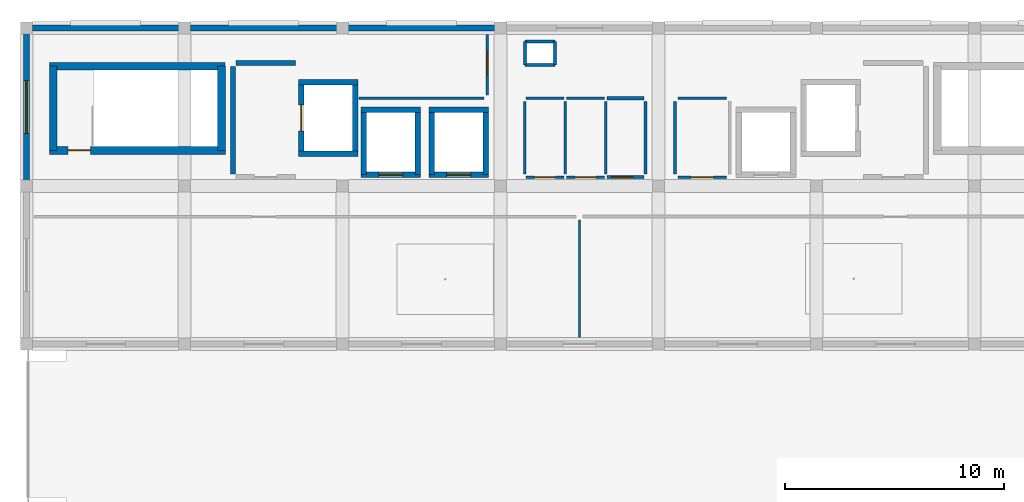
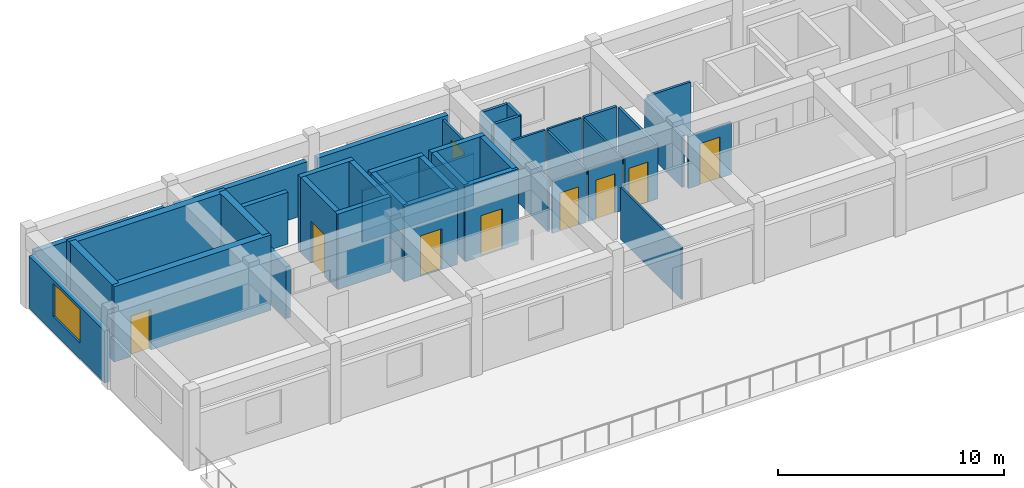
# One storey, part 2 of 6: 42 walls, 9 doors, 1 window, 10 openings.
"""IFC4 building model written with IfcOpenShell, lengths in metres."""

import ifcopenshell
import ifcopenshell.guid

model = None  # the IFC model being written
_history = None  # IfcOwnerHistory: only IFC2X3 demands one
_inside = {}  # id of a spatial element -> (the spatial element, [elements in it])
_under = {}  # id of a project, library or spatial element -> (it, [spatial elements below it])
_declared = {}  # id of a project -> (the project, [libraries it declares])
_typed = {}  # id of a type object -> (the type object, [elements of that type])
_made_of = {}  # id of a material, layer set ... -> (it, [elements and type objects made of it])


def new_model(schema):
    """Start an empty IFC model of exactly this schema.

    Asked for "IFC4X3", IfcOpenShell would pick the latest addendum, in which some entities
    have other attributes; the version numbers below select the first issue.
    IFC2X3 requires an IfcOwnerHistory on every rooted entity: one is made here for all.
    """
    global model, _history
    if schema == "IFC4X3":
        model = ifcopenshell.file(schema_version=(4, 3, 0, 0))
    else:
        model = ifcopenshell.file(schema=schema)
    _inside.clear()
    _under.clear()
    _declared.clear()
    _typed.clear()
    _made_of.clear()
    _history = None
    if model.schema == "IFC2X3":
        org = make("IfcOrganization", Name="unknown")
        user = make(
            "IfcPersonAndOrganization",
            ThePerson=make("IfcPerson", FamilyName="unknown"),
            TheOrganization=org,
        )
        app = make(
            "IfcApplication",
            ApplicationDeveloper=org,
            Version="unknown",
            ApplicationFullName="unknown",
            ApplicationIdentifier="unknown",
        )
        _history = make(
            "IfcOwnerHistory",
            OwningUser=user,
            OwningApplication=app,
            ChangeAction="ADDED",
            CreationDate=0,
        )
    return model


def make(cls, **values):
    """One entity of the class cls with the attributes given. An attribute that is None is left unset."""
    return model.create_entity(
        cls, **{name: value for name, value in values.items() if value is not None}
    )


def rooted(cls, **values):
    """An entity with a GlobalId (a new one), such as an element, a storey or a relation."""
    return make(cls, GlobalId=ifcopenshell.guid.new(), OwnerHistory=_history, **values)


def si_unit(unit_type, name, prefix=None):
    """IfcSIUnit, for example si_unit("LENGTHUNIT", "METRE", prefix="MILLI")."""
    return make("IfcSIUnit", UnitType=unit_type, Prefix=prefix, Name=name)


def assignment(units):
    """IfcUnitAssignment: the units of a project."""
    return None if units is None else make("IfcUnitAssignment", Units=units)


def point(xyz):
    """IfcCartesianPoint."""
    return None if xyz is None else make("IfcCartesianPoint", Coordinates=xyz)


def direction(xyz):
    """IfcDirection."""
    return None if xyz is None else make("IfcDirection", DirectionRatios=xyz)


def frame(location, z_axis=None, x_axis=None):
    """IfcAxis2Placement3D, a coordinate frame: its origin and axes. An axis left out is left unset."""
    return make(
        "IfcAxis2Placement3D",
        Location=point(location),
        Axis=direction(z_axis),
        RefDirection=direction(x_axis),
    )


def frame_2d(location, x_axis=None):
    """IfcAxis2Placement2D, a coordinate frame in the plane: its origin and x axis."""
    return make(
        "IfcAxis2Placement2D", Location=point(location), RefDirection=direction(x_axis)
    )


def origin():
    """The frame at (0, 0, 0) with its axes left unset."""
    return frame((0.0, 0.0, 0.0))


def place(relative_to, where):
    """IfcLocalPlacement: puts the frame where relative to a parent placement (None: the world)."""
    return make(
        "IfcLocalPlacement", PlacementRelTo=relative_to, RelativePlacement=where
    )


def context(
    kind, dimensions, precision=None, world=None, true_north=None, identifier=None
):
    """IfcGeometricRepresentationContext, for example the 3D "Model" context."""
    return make(
        "IfcGeometricRepresentationContext",
        ContextIdentifier=identifier,
        ContextType=kind,
        CoordinateSpaceDimension=dimensions,
        Precision=precision,
        WorldCoordinateSystem=world,
        TrueNorth=true_north,
    )


def subcontext(parent, identifier, kind, view, scale=None):
    """IfcGeometricRepresentationSubContext, for example "Body" below "Model"."""
    return make(
        "IfcGeometricRepresentationSubContext",
        ContextIdentifier=identifier,
        ContextType=kind,
        ParentContext=parent,
        TargetScale=scale,
        TargetView=view,
    )


def project(units=None, contexts=None):
    """IfcProject with its units and contexts."""
    return rooted(
        "IfcProject",
        Name="project",
        RepresentationContexts=contexts,
        UnitsInContext=assignment(units),
    )


def spatial(cls, under=None, at=None, **own):
    """A site, building, storey or space (cls), placed at a placement, below another one or the project."""
    s = rooted(cls, ObjectPlacement=at, **own)
    if under is not None:
        _under.setdefault(under.id(), (under, []))[1].append(s)
    return s


def profile(cls, at=None, kind="AREA", **sizes):
    """A parametric profile (cls). Its sizes go by their IFC names, for example OverallWidth=200.0."""
    return make(cls, ProfileType=kind, Position=at, **sizes)


def rectangle(**sizes):
    """IfcRectangleProfileDef."""
    return profile("IfcRectangleProfileDef", **sizes)


def extrude(swept, where, along, depth):
    """IfcExtrudedAreaSolid: the profile swept, set in the frame where, extruded along a direction by depth."""
    return make(
        "IfcExtrudedAreaSolid",
        SweptArea=swept,
        Position=where,
        ExtrudedDirection=direction(along),
        Depth=depth,
    )


def shape(context_of_items, identifier, shape_type, items):
    """IfcShapeRepresentation: the items that make up one representation, for example the "Body"."""
    return make(
        "IfcShapeRepresentation",
        ContextOfItems=context_of_items,
        RepresentationIdentifier=identifier,
        RepresentationType=shape_type,
        Items=items,
    )


def material(Name=None, Category=None):
    """IfcMaterial."""
    return make("IfcMaterial", Name=Name, Category=Category)


def layer(
    of_material, thickness, ventilated=None, Name=None, Category=None, Priority=None
):
    """IfcMaterialLayer: one layer of a wall or slab, of a material (None: an air gap)."""
    return make(
        "IfcMaterialLayer",
        Material=of_material,
        LayerThickness=thickness,
        IsVentilated=ventilated,
        Name=Name,
        Category=Category,
        Priority=Priority,
    )


def layer_set(layers, Name=None):
    """IfcMaterialLayerSet."""
    return make("IfcMaterialLayerSet", MaterialLayers=layers, LayerSetName=Name)


def made_of(thing, what):
    """Note that an element or type object is made of a material, layer set ...; save() writes the relation."""
    if what is not None:
        _made_of.setdefault(what.id(), (what, []))[1].append(thing)
    return thing


def type_object(cls, material=None, **own):
    """A type object (cls), such as IfcWallType, which elements share."""
    return made_of(rooted(cls, **own), material)


def element(
    cls,
    number,
    at=None,
    inside=None,
    cuts=None,
    type_object=None,
    material=None,
    context=None,
    identifier="Body",
    shape_type=None,
    held_by="IfcProductDefinitionShape",
    body=None,
    shapes=None,
    **own,
):
    """One element of the class cls, such as IfcWall. Its Tag is "e" and its number.

    at: its placement. inside: the storey or other place that contains it. cuts: it is an
    opening in that element (IfcRelVoidsElement). A single representation is given by context,
    identifier, shape_type and body (its items); several are given by shapes. held_by: the class
    of the entity that holds the representations. save() writes the other relations.
    """
    e = rooted(cls, Tag="e%d" % number, ObjectPlacement=at, **own)
    if body is not None:
        shapes = [shape(context, identifier, shape_type, body)]
    if shapes is not None:
        e.Representation = make(held_by, Representations=shapes)
    if inside is not None:
        _inside.setdefault(inside.id(), (inside, []))[1].append(e)
    if cuts is not None:
        rooted(
            "IfcRelVoidsElement", RelatingBuildingElement=cuts, RelatedOpeningElement=e
        )
    if type_object is not None:
        _typed.setdefault(type_object.id(), (type_object, []))[1].append(e)
    return made_of(e, material)


def fill(opening, filler):
    """IfcRelFillsElement: the door or window that sits in an opening."""
    return rooted(
        "IfcRelFillsElement",
        RelatingOpeningElement=opening,
        RelatedBuildingElement=filler,
    )


def aggregate(whole, parts):
    """IfcRelAggregates: a whole, such as a stair, and the parts it consists of."""
    return rooted("IfcRelAggregates", RelatingObject=whole, RelatedObjects=parts)


def save(model, path):
    """Write the relations noted so far, then the file.

    IfcRelAggregates (storeys below a building ...), IfcRelContainedInSpatialStructure (elements
    in a storey), IfcRelDefinesByType, IfcRelAssociatesMaterial and IfcRelDeclares: one each for
    every whole, place, type object, material and project.
    """
    for whole, parts in _under.values():
        aggregate(whole, parts)
    for where, things in _inside.values():
        rooted(
            "IfcRelContainedInSpatialStructure",
            RelatedElements=things,
            RelatingStructure=where,
        )
    for kind, things in _typed.values():
        rooted("IfcRelDefinesByType", RelatedObjects=things, RelatingType=kind)
    for what, things in _made_of.values():
        rooted("IfcRelAssociatesMaterial", RelatedObjects=things, RelatingMaterial=what)
    for by, libraries in _declared.values():
        rooted("IfcRelDeclares", RelatingContext=by, RelatedDefinitions=libraries)
    model.write(path)


model = new_model("IFC4")

# Units and contexts
model_context = context("Model", 3, precision=1e-05, world=origin(), true_north=direction((0.0, 1.0)))
body_context = subcontext(model_context, "Body", "Model", "MODEL_VIEW")
ifc_project = project(units=[si_unit("LENGTHUNIT", "METRE"), si_unit("AREAUNIT", "SQUARE_METRE"), si_unit("VOLUMEUNIT", "CUBIC_METRE"), si_unit("PLANEANGLEUNIT", "RADIAN"), si_unit("MASSUNIT", "GRAM", prefix="KILO")], contexts=[model_context])

# Site, building, storey
site_placement = place(None, origin())
site = spatial("IfcSite", under=ifc_project, at=site_placement, CompositionType="ELEMENT")
building_placement = place(site_placement, origin())
building = spatial("IfcBuilding", under=site, at=building_placement, Name="Kazehaya Institute of Natural Sciences", CompositionType="ELEMENT")
storey_placement = place(building_placement, frame((0.0, 0.0, 41.93994140625)))
storey = spatial("IfcBuildingStorey", under=building, at=storey_placement, Name="L09", CompositionType="ELEMENT", Elevation=41.93994140625)

# Wall, opening, door
ifc_material_1 = material(Name="Concrete Fc42", Category="concrete")
ifc_layer_1 = layer(ifc_material_1, 0.35009765625, Name="Concrete Fc42", Category="concrete")
ifc_layer_set_1 = layer_set([ifc_layer_1], Name="Concrete Fc42")
wall_type_1 = type_object("IfcWallType", Name="WL-CORE-350", PredefinedType="SHEAR", material=ifc_layer_set_1)
wall_1_placement = place(storey_placement, frame((70.85498046875, 22.820068359375, 0.0), z_axis=(0.0, 0.0, 1.0), x_axis=(-1.0, 0.0, 0.0)))
wall_1 = element("IfcWall", 1, at=wall_1_placement, inside=storey, type_object=wall_type_1, Name="L09 ST-1 core wall S", PredefinedType="SHEAR", context=body_context, shape_type="SweptSolid", body=[
    extrude(rectangle(XDim=8.010009765625, YDim=0.35009765625, at=frame_2d((4.0048828125, 0.0))), origin(), (0.0, 0.0, 1.0), 4.070068359375),
])
opening_1_placement = place(wall_1_placement, frame((6.139892578125, 0.0, 0.0)))
opening_1 = element("IfcOpeningElement", 2, at=opening_1_placement, cuts=wall_1, Name="Opening D-ST-011", PredefinedType="OPENING", context=body_context, shape_type="SweptSolid", body=[
    extrude(rectangle(XDim=1.02001953125, YDim=2.179931640625, at=frame_2d((0.510009765625, 1.08984375))), frame((0.0, 0.18505859375, 0.0), z_axis=(0.0, -1.0, 0.0), x_axis=(1.0, 0.0, 0.0)), (0.0, 0.0, 1.0), 0.3701171875),
])
ifc_material_2 = material(Name="Fire-rated steel acoustic door", Category="steel")
door_type_1 = type_object("IfcDoorType", Name="DT-FD-12", OperationType="NOTDEFINED", PredefinedType="DOOR", material=ifc_material_2)
door_1_placement = place(opening_1_placement, origin())
door_1 = element("IfcDoor", 3, at=door_1_placement, inside=storey, type_object=door_type_1, Name="L09 ST-1 stair enclosure door D-ST-011", OperationType="SINGLE_SWING_LEFT", OverallHeight=2.179931640625, OverallWidth=1.02001953125, PredefinedType="DOOR", context=body_context, shape_type="SweptSolid", body=[
    extrude(rectangle(XDim=1.02001953125, YDim=2.179931640625, at=frame_2d((0.510009765625, 1.08984375))), frame((0.0, 0.02490234375, 0.0), z_axis=(0.0, -1.0, 0.0), x_axis=(1.0, 0.0, 0.0)), (0.0, 0.0, 1.0), 0.050048828125),
])
fill(opening_1, door_1)

# Walls
wall_2_placement = place(storey_placement, frame((62.844970703125, 26.659912109375, 0.0), z_axis=(0.0, 0.0, 1.0), x_axis=(1.0, 0.0, 0.0)))
element("IfcWall", 4, at=wall_2_placement, inside=storey, type_object=wall_type_1, Name="L09 ST-1 core wall N", PredefinedType="SHEAR", context=body_context, shape_type="SweptSolid", body=[
    extrude(rectangle(XDim=8.010009765625, YDim=0.35009765625, at=frame_2d((4.0048828125, 0.0))), origin(), (0.0, 0.0, 1.0), 4.070068359375),
])
for number, where, z_axis, x_axis, name in (
    (5, (63.02001953125, 22.820068359375, 0.0), (0.0, 0.0, 1.0), (0.0, 1.0, 0.0), "L09 ST-1 core wall W"),
    (6, (70.679931640625, 26.659912109375, 0.0), (0.0, 0.0, 1.0), (0.0, -1.0, 0.0), "L09 ST-1 core wall E"),
):
    element("IfcWall", number, at=place(storey_placement, frame(where, z_axis=z_axis, x_axis=x_axis)), inside=storey, type_object=wall_type_1, Name=name, PredefinedType="SHEAR", context=body_context, shape_type="SweptSolid", body=[
        extrude(rectangle(XDim=3.83984375, YDim=0.35009765625, at=frame_2d((1.919921875, 0.0))), origin(), (0.0, 0.0, 1.0), 4.070068359375),
    ])
ifc_material_3 = material(Name="Precast concrete Fc36", Category="concrete")
ifc_layer_2 = layer(ifc_material_3, 0.27001953125, Name="Precast concrete Fc36", Category="concrete")
ifc_layer_set_2 = layer_set([ifc_layer_2], Name="Precast concrete Fc36")
wall_type_2 = type_object("IfcWallType", Name="WL-EXT-270", PredefinedType="SOLIDWALL", material=ifc_layer_set_2)
for number, where, z_axis, x_axis, name in (
    (7, (62.06005859375, 28.39990234375, 0.0), (0.0, 0.0, 1.0), (1.0, 0.0, 0.0), "L09 exterior wall EW-L09-0411"),
    (8, (69.260009765625, 28.39990234375, 0.0), (0.0, 0.0, 1.0), (1.0, 0.0, 0.0), "L09 exterior wall EW-L09-0412"),
    (9, (76.4599609375, 28.39990234375, 0.0), (0.0, 0.0, 1.0), (1.0, 0.0, 0.0), "L09 exterior wall EW-L09-0413"),
):
    element("IfcWall", number, at=place(storey_placement, frame(where, z_axis=z_axis, x_axis=x_axis)), inside=storey, type_object=wall_type_2, Name=name, PredefinedType="SOLIDWALL", context=body_context, shape_type="SweptSolid", body=[
        extrude(rectangle(XDim=6.679931640625, YDim=0.27001953125, at=frame_2d((3.33984375, 0.0))), origin(), (0.0, 0.0, 1.0), 2.820068359375),
    ])

# Wall, opening, window
wall_3_placement = place(storey_placement, frame((61.800048828125, 21.4599609375, 0.0), z_axis=(0.0, 0.0, 1.0), x_axis=(0.0, 1.0, 0.0)))
wall_3 = element("IfcWall", 10, at=wall_3_placement, inside=storey, type_object=wall_type_2, Name="L09 exterior wall EW-L09-0420", PredefinedType="SOLIDWALL", context=body_context, shape_type="SweptSolid", body=[
    extrude(rectangle(XDim=6.679931640625, YDim=0.27001953125, at=frame_2d((3.33984375, 0.0))), origin(), (0.0, 0.0, 1.0), 2.820068359375),
])
opening_2_placement = place(wall_3_placement, frame((2.139892578125, 0.0, 0.85009765625)))
opening_2 = element("IfcOpeningElement", 11, at=opening_2_placement, cuts=wall_3, Name="Opening W13", PredefinedType="OPENING", context=body_context, shape_type="SweptSolid", body=[
    extrude(rectangle(XDim=2.39990234375, YDim=1.800048828125, at=frame_2d((1.199951171875, 0.89990234375))), frame((0.0, 0.14501953125, 0.0), z_axis=(0.0, -1.0, 0.0), x_axis=(1.0, 0.0, 0.0)), (0.0, 0.0, 1.0), 0.2900390625),
])
ifc_material_4 = material(Name="Low-E double-glazed aluminium window", Category="aluminium")
window_type = type_object("IfcWindowType", Name="WN-13", PartitioningType="DOUBLE_PANEL_VERTICAL", PredefinedType="WINDOW", material=ifc_material_4)
window_placement = place(opening_2_placement, origin())
window = element("IfcWindow", 12, at=window_placement, inside=storey, type_object=window_type, Name="L09 facade window 0265", OverallHeight=1.800048828125, OverallWidth=2.39990234375, PartitioningType="DOUBLE_PANEL_VERTICAL", PredefinedType="WINDOW", context=body_context, shape_type="SweptSolid", body=[
    extrude(rectangle(XDim=2.39990234375, YDim=1.800048828125, at=frame_2d((1.199951171875, 0.89990234375))), frame((0.0, 0.030029296875, 0.0), z_axis=(0.0, -1.0, 0.0), x_axis=(1.0, 0.0, 0.0)), (0.0, 0.0, 1.0), 0.06005859375),
])
fill(opening_2, window)

# Walls
ifc_material_5 = material(Name="Concrete Fc36", Category="concrete")
ifc_layer_3 = layer(ifc_material_5, 0.22998046875, Name="Concrete Fc36", Category="concrete")
ifc_layer_set_3 = layer_set([ifc_layer_3], Name="Concrete Fc36")
wall_type_3 = type_object("IfcWallType", Name="WL-FFL-230", PredefinedType="PARTITIONING", material=ifc_layer_set_3)
wall_4_placement = place(storey_placement, frame((71.35009765625, 26.800048828125, 0.0), z_axis=(0.0, 0.0, 1.0), x_axis=(1.0, 0.0, 0.0)))
element("IfcWall", 13, at=wall_4_placement, inside=storey, type_object=wall_type_3, Name="L09 West Firefighting Lift Lobby partition IW-L09-0381", PredefinedType="PARTITIONING", context=body_context, shape_type="SweptSolid", body=[
    extrude(rectangle(XDim=2.699951171875, YDim=0.22998046875, at=frame_2d((1.35009765625, 0.0))), origin(), (0.0, 0.0, 1.0), 2.800048828125),
])
wall_5_placement = place(storey_placement, frame((71.199951171875, 21.75, 0.0), z_axis=(0.0, 0.0, 1.0), x_axis=(0.0, 1.0, 0.0)))
element("IfcWall", 14, at=wall_5_placement, inside=storey, type_object=wall_type_3, Name="L09 West Firefighting Lift Lobby partition IW-L09-0382", PredefinedType="PARTITIONING", context=body_context, shape_type="SweptSolid", body=[
    extrude(rectangle(XDim=4.89990234375, YDim=0.22998046875, at=frame_2d((2.449951171875, 0.0))), origin(), (0.0, 0.0, 1.0), 2.800048828125),
])

# Wall, opening, door
ifc_material_6 = material(Name="Lightweight chase partition")
ifc_layer_4 = layer(ifc_material_6, 0.10009765625, Name="Lightweight chase partition")
ifc_layer_set_4 = layer_set([ifc_layer_4], Name="Lightweight chase partition")
wall_type_4 = type_object("IfcWallType", Name="WL-PART-100", PredefinedType="PARTITIONING", material=ifc_layer_set_4)
wall_6_placement = place(storey_placement, frame((88.139892578125, 21.60009765625, 0.0), z_axis=(0.0, 0.0, 1.0), x_axis=(-1.0, 0.0, 0.0)))
wall_6 = element("IfcWall", 15, at=wall_6_placement, inside=storey, type_object=wall_type_4, Name="L09 Female WC partition IW-L09-0390", PredefinedType="PARTITIONING", context=body_context, shape_type="SweptSolid", body=[
    extrude(rectangle(XDim=1.72998046875, YDim=0.10009765625, at=frame_2d((0.864990234375, 0.0))), origin(), (0.0, 0.0, 1.0), 2.800048828125),
])
opening_3_placement = place(wall_6_placement, frame((0.389892578125, 0.0, 0.0)))
opening_3 = element("IfcOpeningElement", 16, at=opening_3_placement, cuts=wall_6, Name="Opening D-L09-0208", PredefinedType="OPENING", context=body_context, shape_type="SweptSolid", body=[
    extrude(rectangle(XDim=0.9599609375, YDim=2.10009765625, at=frame_2d((0.47998046875, 1.050048828125))), frame((0.0, 0.06005859375, 0.0), z_axis=(0.0, -1.0, 0.0), x_axis=(1.0, 0.0, 0.0)), (0.0, 0.0, 1.0), 0.1201171875),
])
ifc_material_7 = material(Name="Flush timber and aluminium laboratory door", Category="wood")
door_type_2 = type_object("IfcDoorType", Name="DT-INT-10", OperationType="NOTDEFINED", PredefinedType="DOOR", material=ifc_material_7)
door_2_placement = place(opening_3_placement, origin())
door_2 = element("IfcDoor", 17, at=door_2_placement, inside=storey, type_object=door_type_2, Name="L09 Female WC door D-L09-0208", OperationType="SINGLE_SWING_LEFT", OverallHeight=2.10009765625, OverallWidth=0.9599609375, PredefinedType="DOOR", context=body_context, shape_type="SweptSolid", body=[
    extrude(rectangle(XDim=0.9599609375, YDim=2.10009765625, at=frame_2d((0.47998046875, 1.050048828125))), frame((0.0, 0.02490234375, 0.0), z_axis=(0.0, -1.0, 0.0), x_axis=(1.0, 0.0, 0.0)), (0.0, 0.0, 1.0), 0.050048828125),
])
fill(opening_3, door_2)

# Walls
wall_7_placement = place(storey_placement, frame((86.409912109375, 25.199951171875, 0.0), z_axis=(0.0, 0.0, 1.0), x_axis=(1.0, 0.0, 0.0)))
element("IfcWall", 18, at=wall_7_placement, inside=storey, type_object=wall_type_4, Name="L09 Female WC partition IW-L09-0391", PredefinedType="PARTITIONING", context=body_context, shape_type="SweptSolid", body=[
    extrude(rectangle(XDim=1.72998046875, YDim=0.10009765625, at=frame_2d((0.864990234375, 0.0))), origin(), (0.0, 0.0, 1.0), 2.800048828125),
])
wall_8_placement = place(storey_placement, frame((88.199951171875, 25.050048828125, 0.0), z_axis=(0.0, 0.0, 1.0), x_axis=(0.0, -1.0, 0.0)))
element("IfcWall", 19, at=wall_8_placement, inside=storey, type_object=wall_type_4, Name="L09 Female WC partition IW-L09-0392", PredefinedType="PARTITIONING", context=body_context, shape_type="SweptSolid", body=[
    extrude(rectangle(XDim=3.300048828125, YDim=0.10009765625, at=frame_2d((1.64990234375, 0.0))), origin(), (0.0, 0.0, 1.0), 2.800048828125),
])
wall_9_placement = place(storey_placement, frame((87.0, 19.64990234375, 0.0), z_axis=(0.0, 0.0, 1.0), x_axis=(0.0, -1.0, 0.0)))
element("IfcWall", 20, at=wall_9_placement, inside=storey, type_object=wall_type_4, Name="L09 Research Library and Reading Room partition IW-L09-0401", PredefinedType="PARTITIONING", context=body_context, shape_type="SweptSolid", body=[
    extrude(rectangle(XDim=5.349853515625, YDim=0.10009765625, at=frame_2d((2.6748046875, 0.0))), origin(), (0.0, 0.0, 1.0), 2.800048828125),
])

# Wall, opening, door
ifc_material_8 = material(Name="Glazed office demountable partition")
ifc_layer_5 = layer(ifc_material_8, 0.110107421875, Name="Glazed office demountable partition")
ifc_layer_set_5 = layer_set([ifc_layer_5], Name="Glazed office demountable partition")
wall_type_5 = type_object("IfcWallType", Name="WL-PART-110", PredefinedType="PARTITIONING", material=ifc_layer_set_5)
wall_10_placement = place(storey_placement, frame((86.2900390625, 21.60009765625, 0.0), z_axis=(0.0, 0.0, 1.0), x_axis=(-1.0, 0.0, 0.0)))
wall_10 = element("IfcWall", 21, at=wall_10_placement, inside=storey, type_object=wall_type_5, Name="L09 Male WC partition IW-L09-0386", PredefinedType="PARTITIONING", context=body_context, shape_type="SweptSolid", body=[
    extrude(rectangle(XDim=1.72998046875, YDim=0.110107421875, at=frame_2d((0.864990234375, 0.0))), origin(), (0.0, 0.0, 1.0), 2.800048828125),
])
opening_4_placement = place(wall_10_placement, frame((0.389892578125, 0.0, 0.0)))
opening_4 = element("IfcOpeningElement", 22, at=opening_4_placement, cuts=wall_10, Name="Opening D-L09-0207", PredefinedType="OPENING", context=body_context, shape_type="SweptSolid", body=[
    extrude(rectangle(XDim=0.9599609375, YDim=2.050048828125, at=frame_2d((0.47998046875, 1.02490234375))), frame((0.0, 0.06494140625, 0.0), z_axis=(0.0, -1.0, 0.0), x_axis=(1.0, 0.0, 0.0)), (0.0, 0.0, 1.0), 0.130126953125),
])
door_type_3 = type_object("IfcDoorType", Name="DT-INT-09", OperationType="NOTDEFINED", PredefinedType="DOOR", material=ifc_material_7)
door_3_placement = place(opening_4_placement, origin())
door_3 = element("IfcDoor", 23, at=door_3_placement, inside=storey, type_object=door_type_3, Name="L09 Male WC door D-L09-0207", OperationType="SINGLE_SWING_RIGHT", OverallHeight=2.050048828125, OverallWidth=0.9599609375, PredefinedType="DOOR", context=body_context, shape_type="SweptSolid", body=[
    extrude(rectangle(XDim=0.9599609375, YDim=2.050048828125, at=frame_2d((0.47998046875, 1.02490234375))), frame((0.0, 0.02490234375, 0.0), z_axis=(0.0, -1.0, 0.0), x_axis=(1.0, 0.0, 0.0)), (0.0, 0.0, 1.0), 0.050048828125),
])
fill(opening_4, door_3)

# Walls
wall_11_placement = place(storey_placement, frame((84.56005859375, 25.199951171875, 0.0), z_axis=(0.0, 0.0, 1.0), x_axis=(1.0, 0.0, 0.0)))
element("IfcWall", 24, at=wall_11_placement, inside=storey, type_object=wall_type_5, Name="L09 Male WC partition IW-L09-0387", PredefinedType="PARTITIONING", context=body_context, shape_type="SweptSolid", body=[
    extrude(rectangle(XDim=1.72998046875, YDim=0.110107421875, at=frame_2d((0.864990234375, 0.0))), origin(), (0.0, 0.0, 1.0), 2.800048828125),
])
for number, where, z_axis, x_axis, name in (
    (25, (84.5, 21.75, 0.0), (0.0, 0.0, 1.0), (0.0, 1.0, 0.0), "L09 Male WC partition IW-L09-0388"),
    (26, (86.35009765625, 25.050048828125, 0.0), (0.0, 0.0, 1.0), (0.0, -1.0, 0.0), "L09 Male WC partition IW-L09-0389"),
):
    element("IfcWall", number, at=place(storey_placement, frame(where, z_axis=z_axis, x_axis=x_axis)), inside=storey, type_object=wall_type_5, Name=name, PredefinedType="PARTITIONING", context=body_context, shape_type="SweptSolid", body=[
        extrude(rectangle(XDim=3.300048828125, YDim=0.110107421875, at=frame_2d((1.64990234375, 0.0))), origin(), (0.0, 0.0, 1.0), 2.800048828125),
    ])
ifc_material_9 = material(Name="Gypsum write-up office partition", Category="gypsum")
ifc_layer_6 = layer(ifc_material_9, 0.1201171875, Name="Gypsum write-up office partition", Category="gypsum")
ifc_layer_set_6 = layer_set([ifc_layer_6], Name="Gypsum write-up office partition")
wall_type_6 = type_object("IfcWallType", Name="WL-PART-120", PredefinedType="PARTITIONING", material=ifc_layer_set_6)
wall_12_placement = place(storey_placement, frame((82.64990234375, 25.199951171875, 0.0), z_axis=(0.0, 0.0, 1.0), x_axis=(-1.0, 0.0, 0.0)))
element("IfcWall", 27, at=wall_12_placement, inside=storey, type_object=wall_type_6, Name="L09 Scientific Monograph Archive partition IW-L09-0403", PredefinedType="PARTITIONING", context=body_context, shape_type="SweptSolid", body=[
    extrude(rectangle(XDim=5.699951171875, YDim=0.1201171875, at=frame_2d((2.85009765625, 0.0))), origin(), (0.0, 0.0, 1.0), 2.800048828125),
])

# Wall, opening, door
wall_13_placement = place(storey_placement, frame((82.800048828125, 28.10009765625, 0.0), z_axis=(0.0, 0.0, 1.0), x_axis=(0.0, -1.0, 0.0)))
wall_13 = element("IfcWall", 28, at=wall_13_placement, inside=storey, type_object=wall_type_6, Name="L09 Scientific Monograph Archive partition IW-L09-0404", PredefinedType="PARTITIONING", context=body_context, shape_type="SweptSolid", body=[
    extrude(rectangle(XDim=2.75, YDim=0.1201171875, at=frame_2d((1.375, 0.0))), origin(), (0.0, 0.0, 1.0), 2.800048828125),
])
opening_5_placement = place(wall_13_placement, frame((0.764892578125, 0.0, 0.0)))
opening_5 = element("IfcOpeningElement", 29, at=opening_5_placement, cuts=wall_13, Name="Opening D-L09-0213", PredefinedType="OPENING", context=body_context, shape_type="SweptSolid", body=[
    extrude(rectangle(XDim=1.070068359375, YDim=2.159912109375, at=frame_2d((0.53515625, 1.080078125))), frame((0.0, 0.070068359375, 0.0), z_axis=(0.0, -1.0, 0.0), x_axis=(1.0, 0.0, 0.0)), (0.0, 0.0, 1.0), 0.14013671875),
])
door_type_4 = type_object("IfcDoorType", Name="DT-INT-23", OperationType="NOTDEFINED", PredefinedType="DOOR", material=ifc_material_7)
door_4_placement = place(opening_5_placement, origin())
door_4 = element("IfcDoor", 30, at=door_4_placement, inside=storey, type_object=door_type_4, Name="L09 Scientific Monograph Archive door D-L09-0213", OperationType="SINGLE_SWING_RIGHT", OverallHeight=2.159912109375, OverallWidth=1.070068359375, PredefinedType="DOOR", context=body_context, shape_type="SweptSolid", body=[
    extrude(rectangle(XDim=1.070068359375, YDim=2.159912109375, at=frame_2d((0.53515625, 1.080078125))), frame((0.0, 0.02490234375, 0.0), z_axis=(0.0, -1.0, 0.0), x_axis=(1.0, 0.0, 0.0)), (0.0, 0.0, 1.0), 0.050048828125),
])
fill(opening_5, door_4)

ifc_material_10 = material(Name="Moisture-resistant WC partition")
ifc_layer_7 = layer(ifc_material_10, 0.1298828125, Name="Moisture-resistant WC partition")
ifc_layer_set_7 = layer_set([ifc_layer_7], Name="Moisture-resistant WC partition")
wall_type_7 = type_object("IfcWallType", Name="WL-PART-130", PredefinedType="PARTITIONING", material=ifc_layer_set_7)
wall_14_placement = place(storey_placement, frame((93.699951171875, 21.60009765625, 0.0), z_axis=(0.0, 0.0, 1.0), x_axis=(-1.0, 0.0, 0.0)))
wall_14 = element("IfcWall", 31, at=wall_14_placement, inside=storey, type_object=wall_type_7, Name="L09 Ostomate WC partition IW-L09-0396", PredefinedType="PARTITIONING", context=body_context, shape_type="SweptSolid", body=[
    extrude(rectangle(XDim=2.199951171875, YDim=0.1298828125, at=frame_2d((1.10009765625, 0.0))), origin(), (0.0, 0.0, 1.0), 2.800048828125),
])
opening_6_placement = place(wall_14_placement, frame((0.5849609375, 0.0, 0.0)))
opening_6 = element("IfcOpeningElement", 32, at=opening_6_placement, cuts=wall_14, Name="Opening D-L09-0210", PredefinedType="OPENING", context=body_context, shape_type="SweptSolid", body=[
    extrude(rectangle(XDim=1.030029296875, YDim=2.219970703125, at=frame_2d((0.51513671875, 1.10986328125))), frame((0.0, 0.074951171875, 0.0), z_axis=(0.0, -1.0, 0.0), x_axis=(1.0, 0.0, 0.0)), (0.0, 0.0, 1.0), 0.14990234375),
])
door_type_5 = type_object("IfcDoorType", Name="DT-INT-20", OperationType="NOTDEFINED", PredefinedType="DOOR", material=ifc_material_7)
door_5_placement = place(opening_6_placement, origin())
door_5 = element("IfcDoor", 33, at=door_5_placement, inside=storey, type_object=door_type_5, Name="L09 Ostomate WC door D-L09-0210", OperationType="SINGLE_SWING_LEFT", OverallHeight=2.219970703125, OverallWidth=1.030029296875, PredefinedType="DOOR", context=body_context, shape_type="SweptSolid", body=[
    extrude(rectangle(XDim=1.030029296875, YDim=2.219970703125, at=frame_2d((0.51513671875, 1.10986328125))), frame((0.0, 0.02490234375, 0.0), z_axis=(0.0, -1.0, 0.0), x_axis=(1.0, 0.0, 0.0)), (0.0, 0.0, 1.0), 0.050048828125),
])
fill(opening_6, door_5)

# Walls
wall_15_placement = place(storey_placement, frame((91.5, 25.199951171875, 0.0), z_axis=(0.0, 0.0, 1.0), x_axis=(1.0, 0.0, 0.0)))
element("IfcWall", 34, at=wall_15_placement, inside=storey, type_object=wall_type_7, Name="L09 Ostomate WC partition IW-L09-0397", PredefinedType="PARTITIONING", context=body_context, shape_type="SweptSolid", body=[
    extrude(rectangle(XDim=2.199951171875, YDim=0.1298828125, at=frame_2d((1.10009765625, 0.0))), origin(), (0.0, 0.0, 1.0), 2.800048828125),
])
wall_16_placement = place(storey_placement, frame((91.35009765625, 21.75, 0.0), z_axis=(0.0, 0.0, 1.0), x_axis=(0.0, 1.0, 0.0)))
element("IfcWall", 35, at=wall_16_placement, inside=storey, type_object=wall_type_7, Name="L09 Ostomate WC partition IW-L09-0398", PredefinedType="PARTITIONING", context=body_context, shape_type="SweptSolid", body=[
    extrude(rectangle(XDim=3.300048828125, YDim=0.1298828125, at=frame_2d((1.64990234375, 0.0))), origin(), (0.0, 0.0, 1.0), 2.800048828125),
])

# Wall, opening, door
ifc_material_11 = material(Name="Gypsum partition", Category="gypsum")
ifc_layer_8 = layer(ifc_material_11, 0.139892578125, Name="Gypsum partition", Category="gypsum")
ifc_layer_set_8 = layer_set([ifc_layer_8], Name="Gypsum partition")
wall_type_8 = type_object("IfcWallType", Name="WL-PART-140", PredefinedType="PARTITIONING", material=ifc_layer_set_8)
wall_17_placement = place(storey_placement, frame((89.93994140625, 21.60009765625, 0.0), z_axis=(0.0, 0.0, 1.0), x_axis=(-1.0, 0.0, 0.0)))
wall_17 = element("IfcWall", 36, at=wall_17_placement, inside=storey, type_object=wall_type_8, Name="L09 Accessible WC partition IW-L09-0393", PredefinedType="PARTITIONING", context=body_context, shape_type="SweptSolid", body=[
    extrude(rectangle(XDim=1.679931640625, YDim=0.139892578125, at=frame_2d((0.83984375, 0.0))), origin(), (0.0, 0.0, 1.0), 2.800048828125),
])
opening_7_placement = place(wall_17_placement, frame((0.510009765625, 0.0, 0.0)))
opening_7 = element("IfcOpeningElement", 37, at=opening_7_placement, cuts=wall_17, Name="Opening D-L09-0209", PredefinedType="OPENING", context=body_context, shape_type="SweptSolid", body=[
    extrude(rectangle(XDim=0.9599609375, YDim=2.159912109375, at=frame_2d((0.47998046875, 1.080078125))), frame((0.0, 0.079833984375, 0.0), z_axis=(0.0, -1.0, 0.0), x_axis=(1.0, 0.0, 0.0)), (0.0, 0.0, 1.0), 0.159912109375),
])
door_type_6 = type_object("IfcDoorType", Name="DT-INT-11", OperationType="NOTDEFINED", PredefinedType="DOOR", material=ifc_material_7)
door_6_placement = place(opening_7_placement, origin())
door_6 = element("IfcDoor", 38, at=door_6_placement, inside=storey, type_object=door_type_6, Name="L09 Accessible WC door D-L09-0209", OperationType="SINGLE_SWING_RIGHT", OverallHeight=2.159912109375, OverallWidth=0.9599609375, PredefinedType="DOOR", context=body_context, shape_type="SweptSolid", body=[
    extrude(rectangle(XDim=0.9599609375, YDim=2.159912109375, at=frame_2d((0.47998046875, 1.080078125))), frame((0.0, 0.02490234375, 0.0), z_axis=(0.0, -1.0, 0.0), x_axis=(1.0, 0.0, 0.0)), (0.0, 0.0, 1.0), 0.050048828125),
])
fill(opening_7, door_6)

# Walls
wall_18_placement = place(storey_placement, frame((88.260009765625, 25.199951171875, 0.0), z_axis=(0.0, 0.0, 1.0), x_axis=(1.0, 0.0, 0.0)))
element("IfcWall", 39, at=wall_18_placement, inside=storey, type_object=wall_type_8, Name="L09 Accessible WC partition IW-L09-0394", PredefinedType="PARTITIONING", context=body_context, shape_type="SweptSolid", body=[
    extrude(rectangle(XDim=1.679931640625, YDim=0.139892578125, at=frame_2d((0.83984375, 0.0))), origin(), (0.0, 0.0, 1.0), 2.800048828125),
])
wall_19_placement = place(storey_placement, frame((90.0, 25.050048828125, 0.0), z_axis=(0.0, 0.0, 1.0), x_axis=(0.0, -1.0, 0.0)))
element("IfcWall", 40, at=wall_19_placement, inside=storey, type_object=wall_type_8, Name="L09 Accessible WC partition IW-L09-0395", PredefinedType="PARTITIONING", context=body_context, shape_type="SweptSolid", body=[
    extrude(rectangle(XDim=3.300048828125, YDim=0.139892578125, at=frame_2d((1.64990234375, 0.0))), origin(), (0.0, 0.0, 1.0), 2.800048828125),
])
ifc_layer_9 = layer(ifc_material_5, 0.14990234375, Name="Concrete Fc36", Category="concrete")
ifc_layer_set_9 = layer_set([ifc_layer_9], Name="Concrete Fc36")
wall_type_9 = type_object("IfcWallType", Name="WL-RISER-150", PredefinedType="PARTITIONING", material=ifc_layer_set_9)
for number, where, z_axis, x_axis, name in (
    (41, (85.885009765625, 26.715087890625, 0.0), (0.0, 0.0, 1.0), (-1.0, 0.0, 0.0), "L09 fume exhaust riser shaft wall 47"),
    (42, (84.514892578125, 27.784912109375, 0.0), (0.0, 0.0, 1.0), (1.0, 0.0, 0.0), "L09 fume exhaust riser shaft wall 47"),
):
    element("IfcWall", number, at=place(storey_placement, frame(where, z_axis=z_axis, x_axis=x_axis)), inside=storey, type_object=wall_type_9, Name=name, PredefinedType="PARTITIONING", context=body_context, shape_type="SweptSolid", body=[
        extrude(rectangle(XDim=1.3701171875, YDim=0.14990234375, at=frame_2d((0.68505859375, 0.0))), origin(), (0.0, 0.0, 1.0), 2.800048828125),
    ])
for number, where, z_axis, x_axis, name in (
    (43, (84.514892578125, 26.715087890625, 0.0), (0.0, 0.0, 1.0), (0.0, 1.0, 0.0), "L09 fume exhaust riser shaft wall 47"),
    (44, (85.885009765625, 27.784912109375, 0.0), (0.0, 0.0, 1.0), (0.0, -1.0, 0.0), "L09 fume exhaust riser shaft wall 47"),
):
    element("IfcWall", number, at=place(storey_placement, frame(where, z_axis=z_axis, x_axis=x_axis)), inside=storey, type_object=wall_type_9, Name=name, PredefinedType="PARTITIONING", context=body_context, shape_type="SweptSolid", body=[
        extrude(rectangle(XDim=1.06982421875, YDim=0.14990234375, at=frame_2d((0.534912109375, 0.0))), origin(), (0.0, 0.0, 1.0), 2.800048828125),
    ])
ifc_layer_10 = layer(ifc_material_1, 0.25, Name="Concrete Fc42", Category="concrete")
ifc_layer_set_10 = layer_set([ifc_layer_10], Name="Concrete Fc42")
wall_type_10 = type_object("IfcWallType", Name="WL-SHAFT-250", PredefinedType="SHEAR", material=ifc_layer_set_10)
for number, where, z_axis, x_axis, name in (
    (45, (76.909912109375, 22.6650390625, 0.0), (0.0, 0.0, 1.0), (-1.0, 0.0, 0.0), "L09 EL07 lift shaft wall south"),
    (46, (74.18994140625, 25.93505859375, 0.0), (0.0, 0.0, 1.0), (1.0, 0.0, 0.0), "L09 EL07 lift shaft wall north"),
):
    element("IfcWall", number, at=place(storey_placement, frame(where, z_axis=z_axis, x_axis=x_axis)), inside=storey, type_object=wall_type_10, Name=name, PredefinedType="SHEAR", context=body_context, shape_type="SweptSolid", body=[
        extrude(rectangle(XDim=2.719970703125, YDim=0.25, at=frame_2d((1.35986328125, 0.0))), origin(), (0.0, 0.0, 1.0), 4.070068359375),
    ])

# Wall, opening, door
wall_20_placement = place(storey_placement, frame((74.31494140625, 22.6650390625, 0.0), z_axis=(0.0, 0.0, 1.0), x_axis=(0.0, 1.0, 0.0)))
wall_20 = element("IfcWall", 47, at=wall_20_placement, inside=storey, type_object=wall_type_10, Name="L09 EL07 lift shaft wall west", PredefinedType="SHEAR", context=body_context, shape_type="SweptSolid", body=[
    extrude(rectangle(XDim=3.27001953125, YDim=0.25, at=frame_2d((1.635009765625, 0.0))), origin(), (0.0, 0.0, 1.0), 4.070068359375),
])
opening_8_placement = place(wall_20_placement, frame((1.034912109375, 0.0, 0.0)))
opening_8 = element("IfcOpeningElement", 48, at=opening_8_placement, cuts=wall_20, Name="Opening LD-11", PredefinedType="OPENING", context=body_context, shape_type="SweptSolid", body=[
    extrude(rectangle(XDim=1.199951171875, YDim=2.25, at=frame_2d((0.60009765625, 1.125))), frame((0.0, 0.135009765625, 0.0), z_axis=(0.0, -1.0, 0.0), x_axis=(1.0, 0.0, 0.0)), (0.0, 0.0, 1.0), 0.27001953125),
])
ifc_material_12 = material(Name="Stainless-steel emergency lift landing door", Category="steel")
door_type_7 = type_object("IfcDoorType", Name="DT-LD-1200x2250", OperationType="SLIDING_TO_LEFT", PredefinedType="DOOR", material=ifc_material_12)
door_7_placement = place(opening_8_placement, origin())
door_7 = element("IfcDoor", 49, at=door_7_placement, inside=storey, type_object=door_type_7, Name="L09 EL07 sliding landing door LD-11", OperationType="SLIDING_TO_LEFT", OverallHeight=2.25, OverallWidth=1.199951171875, PredefinedType="DOOR", context=body_context, shape_type="SweptSolid", body=[
    extrude(rectangle(XDim=1.199951171875, YDim=2.25, at=frame_2d((0.60009765625, 1.125))), frame((0.0, 0.02490234375, 0.0), z_axis=(0.0, -1.0, 0.0), x_axis=(1.0, 0.0, 0.0)), (0.0, 0.0, 1.0), 0.050048828125),
])
fill(opening_8, door_7)

# Wall
wall_21_placement = place(storey_placement, frame((76.784912109375, 25.93505859375, 0.0), z_axis=(0.0, 0.0, 1.0), x_axis=(0.0, -1.0, 0.0)))
element("IfcWall", 50, at=wall_21_placement, inside=storey, type_object=wall_type_10, Name="L09 EL07 lift shaft wall east", PredefinedType="SHEAR", context=body_context, shape_type="SweptSolid", body=[
    extrude(rectangle(XDim=3.27001953125, YDim=0.25, at=frame_2d((1.635009765625, 0.0))), origin(), (0.0, 0.0, 1.0), 4.070068359375),
])

# Wall, opening, door
wall_22_placement = place(storey_placement, frame((79.760009765625, 21.715087890625, 0.0), z_axis=(0.0, 0.0, 1.0), x_axis=(-1.0, 0.0, 0.0)))
wall_22 = element("IfcWall", 51, at=wall_22_placement, inside=storey, type_object=wall_type_10, Name="L09 EL01 lift shaft wall south", PredefinedType="SHEAR", context=body_context, shape_type="SweptSolid", body=[
    extrude(rectangle(XDim=2.719970703125, YDim=0.25, at=frame_2d((1.35986328125, 0.0))), origin(), (0.0, 0.0, 1.0), 4.070068359375),
])
opening_9_placement = place(wall_22_placement, frame((0.81005859375, 0.0, 0.0)))
opening_9 = element("IfcOpeningElement", 52, at=opening_9_placement, cuts=wall_22, Name="Opening LD-33", PredefinedType="OPENING", context=body_context, shape_type="SweptSolid", body=[
    extrude(rectangle(XDim=1.10009765625, YDim=2.199951171875, at=frame_2d((0.550048828125, 1.10009765625))), frame((0.0, 0.135009765625, 0.0), z_axis=(0.0, -1.0, 0.0), x_axis=(1.0, 0.0, 0.0)), (0.0, 0.0, 1.0), 0.27001953125),
])
ifc_material_13 = material(Name="Stainless-steel sliding landing door", Category="steel")
door_type_8 = type_object("IfcDoorType", Name="DT-LD-1100x2200", OperationType="SLIDING_TO_LEFT", PredefinedType="DOOR", material=ifc_material_13)
door_8_placement = place(opening_9_placement, origin())
door_8 = element("IfcDoor", 53, at=door_8_placement, inside=storey, type_object=door_type_8, Name="L09 EL01 sliding landing door LD-33", OperationType="SLIDING_TO_LEFT", OverallHeight=2.199951171875, OverallWidth=1.10009765625, PredefinedType="DOOR", context=body_context, shape_type="SweptSolid", body=[
    extrude(rectangle(XDim=1.10009765625, YDim=2.199951171875, at=frame_2d((0.550048828125, 1.10009765625))), frame((0.0, 0.02490234375, 0.0), z_axis=(0.0, -1.0, 0.0), x_axis=(1.0, 0.0, 0.0)), (0.0, 0.0, 1.0), 0.050048828125),
])
fill(opening_9, door_8)

# Walls
wall_23_placement = place(storey_placement, frame((77.0400390625, 24.68505859375, 0.0), z_axis=(0.0, 0.0, 1.0), x_axis=(1.0, 0.0, 0.0)))
element("IfcWall", 54, at=wall_23_placement, inside=storey, type_object=wall_type_10, Name="L09 EL01 lift shaft wall north", PredefinedType="SHEAR", context=body_context, shape_type="SweptSolid", body=[
    extrude(rectangle(XDim=2.719970703125, YDim=0.25, at=frame_2d((1.35986328125, 0.0))), origin(), (0.0, 0.0, 1.0), 4.070068359375),
])
for number, where, z_axis, x_axis, name in (
    (55, (77.1650390625, 21.715087890625, 0.0), (0.0, 0.0, 1.0), (0.0, 1.0, 0.0), "L09 EL01 lift shaft wall west"),
    (56, (79.635009765625, 24.68505859375, 0.0), (0.0, 0.0, 1.0), (0.0, -1.0, 0.0), "L09 EL01 lift shaft wall east"),
):
    element("IfcWall", number, at=place(storey_placement, frame(where, z_axis=z_axis, x_axis=x_axis)), inside=storey, type_object=wall_type_10, Name=name, PredefinedType="SHEAR", context=body_context, shape_type="SweptSolid", body=[
        extrude(rectangle(XDim=2.969970703125, YDim=0.25, at=frame_2d((1.48486328125, 0.0))), origin(), (0.0, 0.0, 1.0), 4.070068359375),
    ])

# Wall, opening, door
wall_24_placement = place(storey_placement, frame((82.860107421875, 21.715087890625, 0.0), z_axis=(0.0, 0.0, 1.0), x_axis=(-1.0, 0.0, 0.0)))
wall_24 = element("IfcWall", 57, at=wall_24_placement, inside=storey, type_object=wall_type_10, Name="L09 EL02 lift shaft wall south", PredefinedType="SHEAR", context=body_context, shape_type="SweptSolid", body=[
    extrude(rectangle(XDim=2.72021484375, YDim=0.25, at=frame_2d((1.360107421875, 0.0))), origin(), (0.0, 0.0, 1.0), 4.070068359375),
])
opening_10_placement = place(wall_24_placement, frame((0.81005859375, 0.0, 0.0)))
opening_10 = element("IfcOpeningElement", 58, at=opening_10_placement, cuts=wall_24, Name="Opening LD-44", PredefinedType="OPENING", context=body_context, shape_type="SweptSolid", body=[
    extrude(rectangle(XDim=1.10009765625, YDim=2.199951171875, at=frame_2d((0.550048828125, 1.10009765625))), frame((0.0, 0.135009765625, 0.0), z_axis=(0.0, -1.0, 0.0), x_axis=(1.0, 0.0, 0.0)), (0.0, 0.0, 1.0), 0.27001953125),
])
door_9_placement = place(opening_10_placement, origin())
door_9 = element("IfcDoor", 59, at=door_9_placement, inside=storey, type_object=door_type_8, Name="L09 EL02 sliding landing door LD-44", OperationType="SLIDING_TO_LEFT", OverallHeight=2.199951171875, OverallWidth=1.10009765625, PredefinedType="DOOR", context=body_context, shape_type="SweptSolid", body=[
    extrude(rectangle(XDim=1.10009765625, YDim=2.199951171875, at=frame_2d((0.550048828125, 1.10009765625))), frame((0.0, 0.02490234375, 0.0), z_axis=(0.0, -1.0, 0.0), x_axis=(1.0, 0.0, 0.0)), (0.0, 0.0, 1.0), 0.050048828125),
])
fill(opening_10, door_9)

# Walls
wall_25_placement = place(storey_placement, frame((80.139892578125, 24.68505859375, 0.0), z_axis=(0.0, 0.0, 1.0), x_axis=(1.0, 0.0, 0.0)))
element("IfcWall", 60, at=wall_25_placement, inside=storey, type_object=wall_type_10, Name="L09 EL02 lift shaft wall north", PredefinedType="SHEAR", context=body_context, shape_type="SweptSolid", body=[
    extrude(rectangle(XDim=2.72021484375, YDim=0.25, at=frame_2d((1.360107421875, 0.0))), origin(), (0.0, 0.0, 1.0), 4.070068359375),
])
for number, where, z_axis, x_axis, name in (
    (61, (80.264892578125, 21.715087890625, 0.0), (0.0, 0.0, 1.0), (0.0, 1.0, 0.0), "L09 EL02 lift shaft wall west"),
    (62, (82.735107421875, 24.68505859375, 0.0), (0.0, 0.0, 1.0), (0.0, -1.0, 0.0), "L09 EL02 lift shaft wall east"),
):
    element("IfcWall", number, at=place(storey_placement, frame(where, z_axis=z_axis, x_axis=x_axis)), inside=storey, type_object=wall_type_10, Name=name, PredefinedType="SHEAR", context=body_context, shape_type="SweptSolid", body=[
        extrude(rectangle(XDim=2.969970703125, YDim=0.25, at=frame_2d((1.48486328125, 0.0))), origin(), (0.0, 0.0, 1.0), 4.070068359375),
    ])

save(model, "model.ifc")
